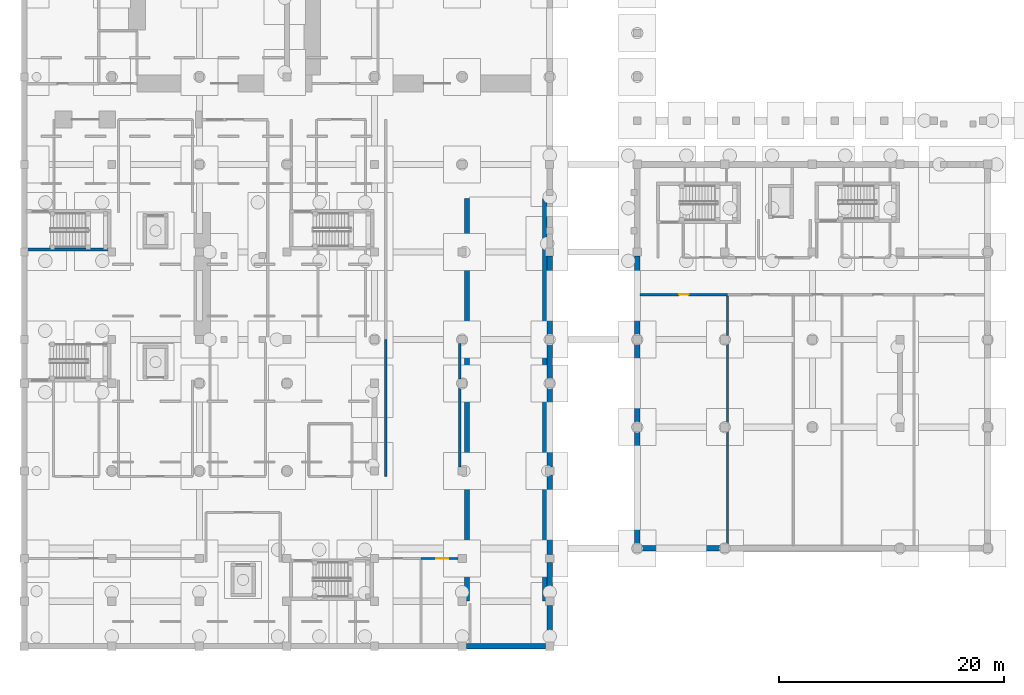
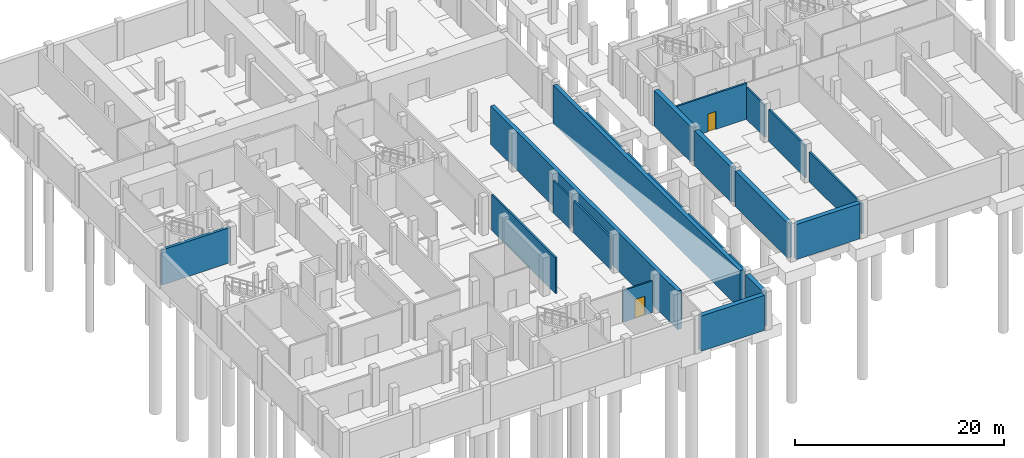
# One storey, part 11 of 24: 22 walls, 2 doors, 2 openings.
"""IFC4 building model written with IfcOpenShell, lengths in metres."""

from ifc_helpers import new_model, si_unit, direction, frame, frame_2d, origin, place, context, subcontext, project, spatial, rectangle, extrude, material, layer, layer_set, type_object, element, fill, save


model = new_model("IFC4")

# Units and contexts
model_context = context("Model", 3, precision=1e-05, world=origin(), true_north=direction((0.0, 1.0)))
body_context = subcontext(model_context, "Body", "Model", "MODEL_VIEW")
ifc_project = project(units=[si_unit("LENGTHUNIT", "METRE"), si_unit("AREAUNIT", "SQUARE_METRE"), si_unit("VOLUMEUNIT", "CUBIC_METRE"), si_unit("PLANEANGLEUNIT", "RADIAN"), si_unit("MASSUNIT", "GRAM", prefix="KILO")], contexts=[model_context])

# Site, building, storey
site_placement = place(None, origin())
site = spatial("IfcSite", under=ifc_project, at=site_placement, CompositionType="ELEMENT")
building_placement = place(site_placement, origin())
building = spatial("IfcBuilding", under=site, at=building_placement, Name="Celorna Specialist Clinic", CompositionType="ELEMENT")
storey_placement = place(building_placement, frame((0.0, 0.0, -4.5)))
storey = spatial("IfcBuildingStorey", under=building, at=storey_placement, Name="B01", CompositionType="ELEMENT", Elevation=-4.5)

# Walls
ifc_material_1 = material(Name="Concrete C35/45", Category="concrete")
ifc_layer_1 = layer(ifc_material_1, 0.5, Name="Concrete C35/45")
ifc_layer_set_1 = layer_set([ifc_layer_1], Name="Concrete C35/45")
wall_type_1 = type_object("IfcWallType", Name="WT-03", PredefinedType="SOLIDWALL", material=ifc_layer_set_1)
wall_1_placement = place(storey_placement, frame((46.800048828125, 34.75, 0.0), z_axis=(0.0, 0.0, 1.0), x_axis=(0.0, -1.0, 0.0)))
element("IfcWall", 1, at=wall_1_placement, inside=storey, type_object=wall_type_1, Name="External facade wall WT-03 #20", PredefinedType="SOLIDWALL", context=body_context, shape_type="SweptSolid", body=[
    extrude(rectangle(XDim=7.10009765625, YDim=0.5, at=frame_2d((3.550048828125, 0.0))), origin(), (0.0, 0.0, 1.0), 4.1201171875),
])
wall_2_placement = place(storey_placement, frame((46.800048828125, 26.949951171875, 0.0), z_axis=(0.0, 0.0, 1.0), x_axis=(0.0, -1.0, 0.0)))
element("IfcWall", 2, at=wall_2_placement, inside=storey, type_object=wall_type_1, Name="External facade wall WT-03 #21", PredefinedType="SOLIDWALL", context=body_context, shape_type="SweptSolid", body=[
    extrude(rectangle(XDim=3.175048828125, YDim=0.5, at=frame_2d((1.58740234375, 0.0))), origin(), (0.0, 0.0, 1.0), 4.1201171875),
])
wall_3_placement = place(storey_placement, frame((46.800048828125, 23.02490234375, 0.0), z_axis=(0.0, 0.0, 1.0), x_axis=(0.0, -1.0, 0.0)))
element("IfcWall", 3, at=wall_3_placement, inside=storey, type_object=wall_type_1, Name="External facade wall WT-03 #22", PredefinedType="SOLIDWALL", context=body_context, shape_type="SweptSolid", body=[
    extrude(rectangle(XDim=7.0498046875, YDim=0.5, at=frame_2d((3.52490234375, 0.0))), origin(), (0.0, 0.0, 1.0), 4.1201171875),
])
wall_4_placement = place(storey_placement, frame((46.800048828125, 15.22509765625, 0.0), z_axis=(0.0, 0.0, 1.0), x_axis=(0.0, -1.0, 0.0)))
element("IfcWall", 4, at=wall_4_placement, inside=storey, type_object=wall_type_1, Name="External facade wall WT-03 #23", PredefinedType="SOLIDWALL", context=body_context, shape_type="SweptSolid", body=[
    extrude(rectangle(XDim=7.050048828125, YDim=0.5, at=frame_2d((3.52490234375, 0.0))), origin(), (0.0, 0.0, 1.0), 4.1201171875),
])
wall_5_placement = place(storey_placement, frame((46.800048828125, 7.425048828125, 0.0), z_axis=(0.0, 0.0, 1.0), x_axis=(0.0, -1.0, 0.0)))
element("IfcWall", 5, at=wall_5_placement, inside=storey, type_object=wall_type_1, Name="External facade wall WT-03 #24", PredefinedType="SOLIDWALL", context=body_context, shape_type="SweptSolid", body=[
    extrude(rectangle(XDim=3.050048828125, YDim=0.5, at=frame_2d((1.52490234375, 0.0))), origin(), (0.0, 0.0, 1.0), 4.1201171875),
])
wall_6_placement = place(storey_placement, frame((46.800048828125, 3.625, 0.0), z_axis=(0.0, 0.0, 1.0), x_axis=(0.0, -1.0, 0.0)))
element("IfcWall", 6, at=wall_6_placement, inside=storey, type_object=wall_type_1, Name="External facade wall WT-03 #25", PredefinedType="SOLIDWALL", context=body_context, shape_type="SweptSolid", body=[
    extrude(rectangle(XDim=3.25, YDim=0.5, at=frame_2d((1.625, 0.0))), origin(), (0.0, 0.0, 1.0), 4.1201171875),
])
wall_7_placement = place(storey_placement, frame((46.425048828125, 0.0, 0.0), z_axis=(0.0, 0.0, 1.0), x_axis=(-1.0, 0.0, 0.0)))
element("IfcWall", 7, at=wall_7_placement, inside=storey, type_object=wall_type_1, Name="External facade wall WT-03 #26", PredefinedType="SOLIDWALL", context=body_context, shape_type="SweptSolid", body=[
    extrude(rectangle(XDim=7.050048828125, YDim=0.5, at=frame_2d((3.52490234375, 0.0))), origin(), (0.0, 0.0, 1.0), 4.1201171875),
])
wall_8_placement = place(storey_placement, frame((62.02490234375, 8.699951171875, 0.0), z_axis=(0.0, 0.0, 1.0), x_axis=(-1.0, 0.0, 0.0)))
element("IfcWall", 8, at=wall_8_placement, inside=storey, type_object=wall_type_1, Name="External facade wall WT-03 #49", PredefinedType="SOLIDWALL", context=body_context, shape_type="SweptSolid", body=[
    extrude(rectangle(XDim=7.0498046875, YDim=0.5, at=frame_2d((3.52490234375, 0.0))), origin(), (0.0, 0.0, 1.0), 4.1201171875),
])
wall_9_placement = place(storey_placement, frame((54.60009765625, 9.074951171875, 0.0), z_axis=(0.0, 0.0, 1.0), x_axis=(0.0, 1.0, 0.0)))
element("IfcWall", 9, at=wall_9_placement, inside=storey, type_object=wall_type_1, Name="External facade wall WT-03 #50", PredefinedType="SOLIDWALL", context=body_context, shape_type="SweptSolid", body=[
    extrude(rectangle(XDim=10.050048828125, YDim=0.5, at=frame_2d((5.02490234375, 0.0))), origin(), (0.0, 0.0, 1.0), 4.1201171875),
])
for number, where, z_axis, x_axis, name in (
    (10, (54.60009765625, 19.875, 0.0), (0.0, 0.0, 1.0), (0.0, 1.0, 0.0), "External facade wall WT-03 #51"),
    (11, (54.60009765625, 27.675048828125, 0.0), (0.0, 0.0, 1.0), (0.0, 1.0, 0.0), "External facade wall WT-03 #52"),
):
    element("IfcWall", number, at=place(storey_placement, frame(where, z_axis=z_axis, x_axis=x_axis)), inside=storey, type_object=wall_type_1, Name=name, PredefinedType="SOLIDWALL", context=body_context, shape_type="SweptSolid", body=[
        extrude(rectangle(XDim=7.050048828125, YDim=0.5, at=frame_2d((3.52490234375, 0.0))), origin(), (0.0, 0.0, 1.0), 4.1201171875),
    ])
ifc_layer_2 = layer(ifc_material_1, 0.419921875, Name="Concrete C35/45")
ifc_layer_set_2 = layer_set([ifc_layer_2], Name="Concrete C35/45")
wall_type_2 = type_object("IfcWallType", Name="WT-05", PredefinedType="SOLIDWALL", material=ifc_layer_set_2)
for number, where, z_axis, x_axis, name in (
    (12, (39.43994140625, 4.0, 0.0), (0.0, 0.0, 1.0), (0.0, 1.0, 0.0), "Vehicle ramp RC enclosure wall B01 west"),
    (13, (46.360107421875, 4.0, 0.0), (0.0, 0.0, 1.0), (0.0, 1.0, 0.0), "Vehicle ramp RC enclosure wall B01 east"),
):
    element("IfcWall", number, at=place(storey_placement, frame(where, z_axis=z_axis, x_axis=x_axis)), inside=storey, type_object=wall_type_2, Name=name, PredefinedType="SOLIDWALL", context=body_context, shape_type="SweptSolid", body=[
        extrude(rectangle(XDim=35.85009765625, YDim=0.419921875, at=frame_2d((17.925048828125, 0.0))), origin(), (0.0, 0.0, 1.0), 4.5),
    ])
ifc_layer_3 = layer(ifc_material_1, 0.300048828125, Name="Concrete C35/45")
ifc_layer_set_3 = layer_set([ifc_layer_3], Name="Concrete C35/45")
wall_type_3 = type_object("IfcWallType", Name="WT-08", PredefinedType="SHEAR", material=ifc_layer_set_3)
wall_10_placement = place(storey_placement, frame((0.14990234375, 35.330078125, 0.0), z_axis=(0.0, 0.0, 1.0), x_axis=(1.0, 0.0, 0.0)))
element("IfcWall", 14, at=wall_10_placement, inside=storey, type_object=wall_type_3, Name="Stair ST-06 RC core wall B01 south", PredefinedType="SHEAR", context=body_context, shape_type="SweptSolid", body=[
    extrude(rectangle(XDim=7.590087890625, YDim=0.300048828125, at=frame_2d((3.794921875, 0.0))), origin(), (0.0, 0.0, 1.0), 4.1201171875),
])
ifc_layer_4 = layer(ifc_material_1, 0.199951171875, Name="Concrete C35/45")
ifc_layer_set_4 = layer_set([ifc_layer_4], Name="Concrete C35/45")
wall_type_4 = type_object("IfcWallType", Name="WT-12", PredefinedType="SOLIDWALL", material=ifc_layer_set_4)
wall_11_placement = place(storey_placement, frame((32.199951171875, 15.10009765625, 0.0), z_axis=(0.0, 0.0, 1.0), x_axis=(0.0, 1.0, 0.0)))
element("IfcWall", 15, at=wall_11_placement, inside=storey, type_object=wall_type_4, Name="Corridor spur partition WT-12", PredefinedType="SOLIDWALL", context=body_context, shape_type="SweptSolid", body=[
    extrude(rectangle(XDim=12.199951171875, YDim=0.199951171875, at=frame_2d((6.10009765625, 0.0))), origin(), (0.0, 0.0, 1.0), 4.199951171875),
])
wall_12_placement = place(storey_placement, frame((38.800048828125, 15.97509765625, 0.0), z_axis=(0.0, 0.0, 1.0), x_axis=(0.0, 1.0, 0.0)))
element("IfcWall", 16, at=wall_12_placement, inside=storey, type_object=wall_type_4, Name="Corridor spur partition WT-12", PredefinedType="SOLIDWALL", context=body_context, shape_type="SweptSolid", body=[
    extrude(rectangle(XDim=7.0498046875, YDim=0.199951171875, at=frame_2d((3.52490234375, 0.0))), origin(), (0.0, 0.0, 1.0), 3.75),
])
wall_13_placement = place(storey_placement, frame((38.800048828125, 23.77490234375, 0.0), z_axis=(0.0, 0.0, 1.0), x_axis=(0.0, 1.0, 0.0)))
element("IfcWall", 17, at=wall_13_placement, inside=storey, type_object=wall_type_4, Name="Corridor spur partition WT-12", PredefinedType="SOLIDWALL", context=body_context, shape_type="SweptSolid", body=[
    extrude(rectangle(XDim=3.175048828125, YDim=0.199951171875, at=frame_2d((1.58740234375, 0.0))), origin(), (0.0, 0.0, 1.0), 3.75),
])

# Wall, opening, door
wall_14_placement = place(storey_placement, frame((62.64990234375, 31.300048828125, 0.0), z_axis=(0.0, 0.0, 1.0), x_axis=(-1.0, 0.0, 0.0)))
wall_14 = element("IfcWall", 18, at=wall_14_placement, inside=storey, type_object=wall_type_4, Name="Interior partition WT-12 B01-046", PredefinedType="SOLIDWALL", context=body_context, shape_type="SweptSolid", body=[
    extrude(rectangle(XDim=7.7998046875, YDim=0.199951171875, at=frame_2d((3.89990234375, 0.0))), origin(), (0.0, 0.0, 1.0), 4.199951171875),
])
opening_1_placement = place(wall_14_placement, frame((3.47509765625, 0.0, 0.0)))
opening_1 = element("IfcOpeningElement", 19, at=opening_1_placement, cuts=wall_14, Name="Opening DR-01", PredefinedType="OPENING", context=body_context, shape_type="SweptSolid", body=[
    extrude(rectangle(XDim=0.85009765625, YDim=2.10009765625, at=frame_2d((0.425048828125, 1.050048828125))), frame((0.0, 0.10986328125, 0.0), z_axis=(0.0, -1.0, 0.0), x_axis=(1.0, 0.0, 0.0)), (0.0, 0.0, 1.0), 0.219970703125),
])
ifc_material_2 = material(Name="Powder-coated steel door", Category="steel")
door_type_1 = type_object("IfcDoorType", Name="DR-01", OperationType="NOTDEFINED", PredefinedType="DOOR", material=ifc_material_2)
door_1_placement = place(opening_1_placement, origin())
door_1 = element("IfcDoor", 20, at=door_1_placement, inside=storey, type_object=door_type_1, Name="Medical Records Archive Store door B01-046", OperationType="SINGLE_SWING_LEFT", OverallHeight=2.10009765625, OverallWidth=0.85009765625, PredefinedType="DOOR", context=body_context, shape_type="SweptSolid", body=[
    extrude(rectangle(XDim=0.85009765625, YDim=2.10009765625, at=frame_2d((0.425048828125, 1.050048828125))), frame((0.0, 0.02490234375, 0.0), z_axis=(0.0, -1.0, 0.0), x_axis=(1.0, 0.0, 0.0)), (0.0, 0.0, 1.0), 0.050048828125),
])
fill(opening_1, door_1)

# Walls
wall_15_placement = place(storey_placement, frame((62.64990234375, 9.074951171875, 0.0), z_axis=(0.0, 0.0, 1.0), x_axis=(0.0, 1.0, 0.0)))
element("IfcWall", 21, at=wall_15_placement, inside=storey, type_object=wall_type_4, Name="Room dividing partition WT-12 B01-046", PredefinedType="SOLIDWALL", context=body_context, shape_type="SweptSolid", body=[
    extrude(rectangle(XDim=10.050048828125, YDim=0.199951171875, at=frame_2d((5.02490234375, 0.0))), origin(), (0.0, 0.0, 1.0), 3.5),
])
wall_16_placement = place(storey_placement, frame((62.64990234375, 19.875, 0.0), z_axis=(0.0, 0.0, 1.0), x_axis=(0.0, 1.0, 0.0)))
element("IfcWall", 22, at=wall_16_placement, inside=storey, type_object=wall_type_4, Name="Room dividing partition WT-12 B01-046", PredefinedType="SOLIDWALL", context=body_context, shape_type="SweptSolid", body=[
    extrude(rectangle(XDim=7.050048828125, YDim=0.199951171875, at=frame_2d((3.52490234375, 0.0))), origin(), (0.0, 0.0, 1.0), 3.75),
])
wall_17_placement = place(storey_placement, frame((62.64990234375, 27.675048828125, 0.0), z_axis=(0.0, 0.0, 1.0), x_axis=(0.0, 1.0, 0.0)))
element("IfcWall", 23, at=wall_17_placement, inside=storey, type_object=wall_type_4, Name="Room dividing partition WT-12 B01-046", PredefinedType="SOLIDWALL", context=body_context, shape_type="SweptSolid", body=[
    extrude(rectangle(XDim=3.52490234375, YDim=0.199951171875, at=frame_2d((1.762451171875, 0.0))), origin(), (0.0, 0.0, 1.0), 3.75),
])

# Wall, opening, door
ifc_material_3 = material(Name="Acoustic masonry clinical partition", Category="masonry")
ifc_layer_5 = layer(ifc_material_3, 0.179931640625, Name="Acoustic masonry clinical partition")
ifc_layer_set_5 = layer_set([ifc_layer_5], Name="Acoustic masonry clinical partition")
wall_type_5 = type_object("IfcWallType", Name="WT-13", PredefinedType="PARTITIONING", material=ifc_layer_set_5)
wall_18_placement = place(storey_placement, frame((38.625, 7.800048828125, 0.0), z_axis=(0.0, 0.0, 1.0), x_axis=(-1.0, 0.0, 0.0)))
wall_18 = element("IfcWall", 24, at=wall_18_placement, inside=storey, type_object=wall_type_5, Name="Interior partition WT-13 B01-040", PredefinedType="PARTITIONING", context=body_context, shape_type="SweptSolid", body=[
    extrude(rectangle(XDim=3.27490234375, YDim=0.179931640625, at=frame_2d((1.637451171875, 0.0))), origin(), (0.0, 0.0, 1.0), 3.699951171875),
])
opening_2_placement = place(wall_18_placement, frame((0.860107421875, 0.0, 0.0)))
opening_2 = element("IfcOpeningElement", 25, at=opening_2_placement, cuts=wall_18, Name="Opening DR-21", PredefinedType="OPENING", context=body_context, shape_type="SweptSolid", body=[
    extrude(rectangle(XDim=1.080078125, YDim=2.199951171875, at=frame_2d((0.5400390625, 1.10009765625))), frame((0.0, 0.099853515625, 0.0), z_axis=(0.0, -1.0, 0.0), x_axis=(1.0, 0.0, 0.0)), (0.0, 0.0, 1.0), 0.199951171875),
])
ifc_material_4 = material(Name="Timber outpatient suite door", Category="wood")
door_type_2 = type_object("IfcDoorType", Name="DR-21", OperationType="NOTDEFINED", PredefinedType="DOOR", material=ifc_material_4)
door_2_placement = place(opening_2_placement, origin())
door_2 = element("IfcDoor", 26, at=door_2_placement, inside=storey, type_object=door_type_2, Name="Sterile Autoclave Decontamination Room door B01-040", OperationType="SINGLE_SWING_RIGHT", OverallHeight=2.199951171875, OverallWidth=1.080078125, PredefinedType="DOOR", context=body_context, shape_type="SweptSolid", body=[
    extrude(rectangle(XDim=1.080078125, YDim=2.199951171875, at=frame_2d((0.5400390625, 1.10009765625))), frame((0.0, 0.02490234375, 0.0), z_axis=(0.0, -1.0, 0.0), x_axis=(1.0, 0.0, 0.0)), (0.0, 0.0, 1.0), 0.050048828125),
])
fill(opening_2, door_2)

save(model, "model.ifc")
